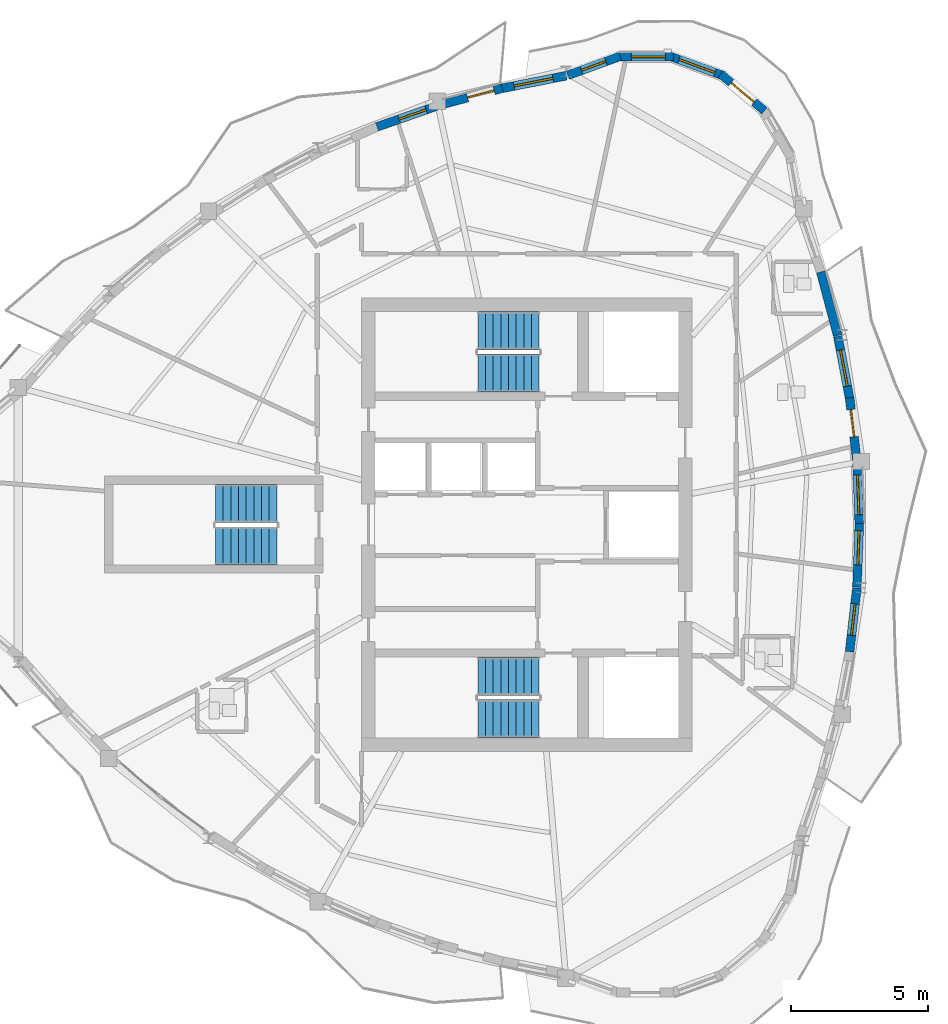
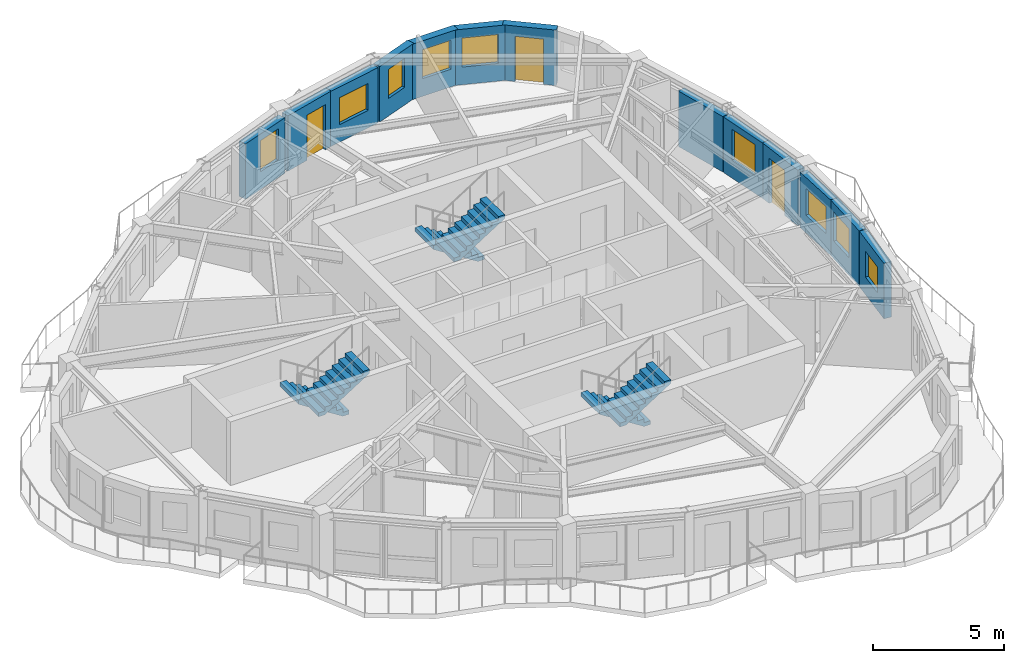
# One storey, part 9 of 13: 13 walls, 9 windows, 6 stair flights, 3 doors, 12 openings, 3 elements without a shape of their own.
"""IFC4 building model written with IfcOpenShell, lengths in metres."""

import ifcopenshell
import ifcopenshell.guid

model = None  # the IFC model being written
_history = None  # IfcOwnerHistory: only IFC2X3 demands one
_inside = {}  # id of a spatial element -> (the spatial element, [elements in it])
_under = {}  # id of a project, library or spatial element -> (it, [spatial elements below it])
_declared = {}  # id of a project -> (the project, [libraries it declares])
_typed = {}  # id of a type object -> (the type object, [elements of that type])
_made_of = {}  # id of a material, layer set ... -> (it, [elements and type objects made of it])


def new_model(schema):
    """Start an empty IFC model of exactly this schema.

    Asked for "IFC4X3", IfcOpenShell would pick the latest addendum, in which some entities
    have other attributes; the version numbers below select the first issue.
    IFC2X3 requires an IfcOwnerHistory on every rooted entity: one is made here for all.
    """
    global model, _history
    if schema == "IFC4X3":
        model = ifcopenshell.file(schema_version=(4, 3, 0, 0))
    else:
        model = ifcopenshell.file(schema=schema)
    _inside.clear()
    _under.clear()
    _declared.clear()
    _typed.clear()
    _made_of.clear()
    _history = None
    if model.schema == "IFC2X3":
        org = make("IfcOrganization", Name="unknown")
        user = make(
            "IfcPersonAndOrganization",
            ThePerson=make("IfcPerson", FamilyName="unknown"),
            TheOrganization=org,
        )
        app = make(
            "IfcApplication",
            ApplicationDeveloper=org,
            Version="unknown",
            ApplicationFullName="unknown",
            ApplicationIdentifier="unknown",
        )
        _history = make(
            "IfcOwnerHistory",
            OwningUser=user,
            OwningApplication=app,
            ChangeAction="ADDED",
            CreationDate=0,
        )
    return model


def make(cls, **values):
    """One entity of the class cls with the attributes given. An attribute that is None is left unset."""
    return model.create_entity(
        cls, **{name: value for name, value in values.items() if value is not None}
    )


def rooted(cls, **values):
    """An entity with a GlobalId (a new one), such as an element, a storey or a relation."""
    return make(cls, GlobalId=ifcopenshell.guid.new(), OwnerHistory=_history, **values)


def si_unit(unit_type, name, prefix=None):
    """IfcSIUnit, for example si_unit("LENGTHUNIT", "METRE", prefix="MILLI")."""
    return make("IfcSIUnit", UnitType=unit_type, Prefix=prefix, Name=name)


def assignment(units):
    """IfcUnitAssignment: the units of a project."""
    return None if units is None else make("IfcUnitAssignment", Units=units)


def point(xyz):
    """IfcCartesianPoint."""
    return None if xyz is None else make("IfcCartesianPoint", Coordinates=xyz)


def direction(xyz):
    """IfcDirection."""
    return None if xyz is None else make("IfcDirection", DirectionRatios=xyz)


def frame(location, z_axis=None, x_axis=None):
    """IfcAxis2Placement3D, a coordinate frame: its origin and axes. An axis left out is left unset."""
    return make(
        "IfcAxis2Placement3D",
        Location=point(location),
        Axis=direction(z_axis),
        RefDirection=direction(x_axis),
    )


def frame_2d(location, x_axis=None):
    """IfcAxis2Placement2D, a coordinate frame in the plane: its origin and x axis."""
    return make(
        "IfcAxis2Placement2D", Location=point(location), RefDirection=direction(x_axis)
    )


def origin():
    """The frame at (0, 0, 0) with its axes left unset."""
    return frame((0.0, 0.0, 0.0))


def place(relative_to, where):
    """IfcLocalPlacement: puts the frame where relative to a parent placement (None: the world)."""
    return make(
        "IfcLocalPlacement", PlacementRelTo=relative_to, RelativePlacement=where
    )


def context(
    kind, dimensions, precision=None, world=None, true_north=None, identifier=None
):
    """IfcGeometricRepresentationContext, for example the 3D "Model" context."""
    return make(
        "IfcGeometricRepresentationContext",
        ContextIdentifier=identifier,
        ContextType=kind,
        CoordinateSpaceDimension=dimensions,
        Precision=precision,
        WorldCoordinateSystem=world,
        TrueNorth=true_north,
    )


def subcontext(parent, identifier, kind, view, scale=None):
    """IfcGeometricRepresentationSubContext, for example "Body" below "Model"."""
    return make(
        "IfcGeometricRepresentationSubContext",
        ContextIdentifier=identifier,
        ContextType=kind,
        ParentContext=parent,
        TargetScale=scale,
        TargetView=view,
    )


def project(units=None, contexts=None):
    """IfcProject with its units and contexts."""
    return rooted(
        "IfcProject",
        Name="project",
        RepresentationContexts=contexts,
        UnitsInContext=assignment(units),
    )


def spatial(cls, under=None, at=None, **own):
    """A site, building, storey or space (cls), placed at a placement, below another one or the project."""
    s = rooted(cls, ObjectPlacement=at, **own)
    if under is not None:
        _under.setdefault(under.id(), (under, []))[1].append(s)
    return s


def polyline(points):
    """IfcPolyline through the points."""
    return make("IfcPolyline", Points=[point(p) for p in points])


def profile(cls, at=None, kind="AREA", **sizes):
    """A parametric profile (cls). Its sizes go by their IFC names, for example OverallWidth=200.0."""
    return make(cls, ProfileType=kind, Position=at, **sizes)


def rectangle(**sizes):
    """IfcRectangleProfileDef."""
    return profile("IfcRectangleProfileDef", **sizes)


def outline(outer, holes=None, kind="AREA"):
    """IfcArbitraryClosedProfileDef: a profile drawn as a closed curve; with holes, ...WithVoids."""
    if holes is None:
        return make("IfcArbitraryClosedProfileDef", ProfileType=kind, OuterCurve=outer)
    return make(
        "IfcArbitraryProfileDefWithVoids",
        ProfileType=kind,
        OuterCurve=outer,
        InnerCurves=holes,
    )


def extrude(swept, where, along, depth):
    """IfcExtrudedAreaSolid: the profile swept, set in the frame where, extruded along a direction by depth."""
    return make(
        "IfcExtrudedAreaSolid",
        SweptArea=swept,
        Position=where,
        ExtrudedDirection=direction(along),
        Depth=depth,
    )


def shape(context_of_items, identifier, shape_type, items):
    """IfcShapeRepresentation: the items that make up one representation, for example the "Body"."""
    return make(
        "IfcShapeRepresentation",
        ContextOfItems=context_of_items,
        RepresentationIdentifier=identifier,
        RepresentationType=shape_type,
        Items=items,
    )


def source(mapping_origin, context_of_items, identifier, shape_type, items):
    """IfcRepresentationMap: a shape defined once, which mapped items show again and again."""
    return make(
        "IfcRepresentationMap",
        MappingOrigin=mapping_origin,
        MappedRepresentation=shape(context_of_items, identifier, shape_type, items),
    )


def transform(
    local_origin,
    x_axis=None,
    y_axis=None,
    z_axis=None,
    scale=None,
    scale2=None,
    scale3=None,
    uniform=True,
):
    """IfcCartesianTransformationOperator3D, or its non-uniform kind. x_axis, y_axis, z_axis: its Axis1, 2, 3."""
    if uniform:
        return make(
            "IfcCartesianTransformationOperator3D",
            Axis1=direction(x_axis),
            Axis2=direction(y_axis),
            LocalOrigin=point(local_origin),
            Scale=scale,
            Axis3=direction(z_axis),
        )
    return make(
        "IfcCartesianTransformationOperator3DnonUniform",
        Axis1=direction(x_axis),
        Axis2=direction(y_axis),
        LocalOrigin=point(local_origin),
        Scale=scale,
        Axis3=direction(z_axis),
        Scale2=scale2,
        Scale3=scale3,
    )


def mapped(mapping_source, mapping_target):
    """IfcMappedItem: shows the shape of a source again, moved by a transform."""
    return make(
        "IfcMappedItem", MappingSource=mapping_source, MappingTarget=mapping_target
    )


def material(Name=None, Category=None):
    """IfcMaterial."""
    return make("IfcMaterial", Name=Name, Category=Category)


def layer(
    of_material, thickness, ventilated=None, Name=None, Category=None, Priority=None
):
    """IfcMaterialLayer: one layer of a wall or slab, of a material (None: an air gap)."""
    return make(
        "IfcMaterialLayer",
        Material=of_material,
        LayerThickness=thickness,
        IsVentilated=ventilated,
        Name=Name,
        Category=Category,
        Priority=Priority,
    )


def layer_set(layers, Name=None):
    """IfcMaterialLayerSet."""
    return make("IfcMaterialLayerSet", MaterialLayers=layers, LayerSetName=Name)


def made_of(thing, what):
    """Note that an element or type object is made of a material, layer set ...; save() writes the relation."""
    if what is not None:
        _made_of.setdefault(what.id(), (what, []))[1].append(thing)
    return thing


def type_object(cls, material=None, **own):
    """A type object (cls), such as IfcWallType, which elements share."""
    return made_of(rooted(cls, **own), material)


def element(
    cls,
    number,
    at=None,
    inside=None,
    cuts=None,
    type_object=None,
    material=None,
    context=None,
    identifier="Body",
    shape_type=None,
    held_by="IfcProductDefinitionShape",
    body=None,
    shapes=None,
    **own,
):
    """One element of the class cls, such as IfcWall. Its Tag is "e" and its number.

    at: its placement. inside: the storey or other place that contains it. cuts: it is an
    opening in that element (IfcRelVoidsElement). A single representation is given by context,
    identifier, shape_type and body (its items); several are given by shapes. held_by: the class
    of the entity that holds the representations. save() writes the other relations.
    """
    e = rooted(cls, Tag="e%d" % number, ObjectPlacement=at, **own)
    if body is not None:
        shapes = [shape(context, identifier, shape_type, body)]
    if shapes is not None:
        e.Representation = make(held_by, Representations=shapes)
    if inside is not None:
        _inside.setdefault(inside.id(), (inside, []))[1].append(e)
    if cuts is not None:
        rooted(
            "IfcRelVoidsElement", RelatingBuildingElement=cuts, RelatedOpeningElement=e
        )
    if type_object is not None:
        _typed.setdefault(type_object.id(), (type_object, []))[1].append(e)
    return made_of(e, material)


def fill(opening, filler):
    """IfcRelFillsElement: the door or window that sits in an opening."""
    return rooted(
        "IfcRelFillsElement",
        RelatingOpeningElement=opening,
        RelatedBuildingElement=filler,
    )


def aggregate(whole, parts):
    """IfcRelAggregates: a whole, such as a stair, and the parts it consists of."""
    return rooted("IfcRelAggregates", RelatingObject=whole, RelatedObjects=parts)


def save(model, path):
    """Write the relations noted so far, then the file.

    IfcRelAggregates (storeys below a building ...), IfcRelContainedInSpatialStructure (elements
    in a storey), IfcRelDefinesByType, IfcRelAssociatesMaterial and IfcRelDeclares: one each for
    every whole, place, type object, material and project.
    """
    for whole, parts in _under.values():
        aggregate(whole, parts)
    for where, things in _inside.values():
        rooted(
            "IfcRelContainedInSpatialStructure",
            RelatedElements=things,
            RelatingStructure=where,
        )
    for kind, things in _typed.values():
        rooted("IfcRelDefinesByType", RelatedObjects=things, RelatingType=kind)
    for what, things in _made_of.values():
        rooted("IfcRelAssociatesMaterial", RelatedObjects=things, RelatingMaterial=what)
    for by, libraries in _declared.values():
        rooted("IfcRelDeclares", RelatingContext=by, RelatedDefinitions=libraries)
    model.write(path)


model = new_model("IFC4")

# Units and contexts
model_context = context("Model", 3, precision=1e-05, world=origin(), true_north=direction((0.0, 1.0)))
body_context = subcontext(model_context, "Body", "Model", "MODEL_VIEW")
ifc_project = project(units=[si_unit("LENGTHUNIT", "METRE"), si_unit("AREAUNIT", "SQUARE_METRE"), si_unit("VOLUMEUNIT", "CUBIC_METRE"), si_unit("PLANEANGLEUNIT", "RADIAN"), si_unit("MASSUNIT", "GRAM", prefix="KILO")], contexts=[model_context])

# Site, building, storey
site_placement = place(None, origin())
site = spatial("IfcSite", under=ifc_project, at=site_placement, CompositionType="ELEMENT")
building_placement = place(site_placement, origin())
building = spatial("IfcBuilding", under=site, at=building_placement, Name="Qafzar Sky-Pleat Residences", CompositionType="ELEMENT")
storey_placement = place(building_placement, frame((0.0, 0.0, 195.60009765625)))
storey = spatial("IfcBuildingStorey", under=building, at=storey_placement, Name="L58", CompositionType="ELEMENT", Elevation=195.60009765625)

# Wall, opening, window
ifc_material_1 = material(Name="Precast concrete C40/50 with honed Riyadh limestone", Category="concrete")
ifc_layer = layer(ifc_material_1, 0.320068359375)
ifc_layer_set = layer_set([ifc_layer], Name="Precast concrete C40/50 with honed Riyadh limestone")
wall_type = type_object("IfcWallType", Name="WALL-EXT-320", PredefinedType="SOLIDWALL", material=ifc_layer_set)
wall_1_placement = place(storey_placement, frame((42.163330078125, 21.352294921875, 0.0), z_axis=(0.0, 0.0, 1.0), x_axis=(0.113273764078, 0.993563814947, 0.0)))
wall_1 = element("IfcWall", 1, at=wall_1_placement, inside=storey, type_object=wall_type, Name="L58 Limestone Facade Wall 26", PredefinedType="SOLIDWALL", context=body_context, shape_type="SweptSolid", body=[
    extrude(rectangle(XDim=2.34716796875, YDim=0.320068359375, at=frame_2d((1.173583984375, 0.0))), origin(), (0.0, 0.0, 1.0), 2.579833984375),
])
opening_1_placement = place(wall_1_placement, frame((0.6083984375, 0.0, 0.820068359375)))
opening_1 = element("IfcOpeningElement", 2, at=opening_1_placement, cuts=wall_1, Name="Opening WN-16", PredefinedType="OPENING", context=body_context, shape_type="SweptSolid", body=[
    extrude(rectangle(XDim=1.14990234375, YDim=1.199951171875, at=frame_2d((0.574951171875, 0.60009765625))), frame((0.0, 0.169921875, 0.0), z_axis=(0.0, -1.0, 0.0), x_axis=(1.0, 0.0, 0.0)), (0.0, 0.0, 1.0), 0.340087890625),
])
ifc_material_2 = material(Name="Solar-control low-E glass in bronze aluminium frame", Category="glass")
window_type_1 = type_object("IfcWindowType", Name="WIN-16", PartitioningType="SINGLE_PANEL", PredefinedType="WINDOW", material=ifc_material_2)
shared_shape_1 = source(origin(), body_context, "Body", "SweptSolid", [
    extrude(rectangle(XDim=1.14990234375, YDim=1.199951171875, at=frame_2d((0.574951171875, 0.60009765625))), frame((0.0, 0.030029296875, 0.0), z_axis=(0.0, -1.0, 0.0), x_axis=(1.0, 0.0, 0.0)), (0.0, 0.0, 1.0), 0.06005859375),
])
window_1_placement = place(opening_1_placement, origin())
window_1 = element("IfcWindow", 3, at=window_1_placement, inside=storey, type_object=window_type_1, Name="L58 Punched Facade Window 26", OverallHeight=1.199951171875, OverallWidth=1.14990234375, PartitioningType="SINGLE_PANEL", PredefinedType="WINDOW", context=body_context, shape_type="MappedRepresentation", body=[
    mapped(shared_shape_1, transform((0.0, 0.0, 0.0), x_axis=(1.0, 0.0, 0.0), y_axis=(0.0, 1.0, 0.0), z_axis=(0.0, 0.0, 1.0), scale=1.0)),
])
fill(opening_1, window_1)

wall_2_placement = place(storey_placement, frame((42.431396484375, 23.712158203125, 0.0), z_axis=(0.0, 0.0, 1.0), x_axis=(0.037979071107, 0.999278534823, 0.0)))
wall_2 = element("IfcWall", 4, at=wall_2_placement, inside=storey, type_object=wall_type, Name="L58 Limestone Facade Wall 27", PredefinedType="SOLIDWALL", context=body_context, shape_type="SweptSolid", body=[
    extrude(rectangle(XDim=2.33349609375, YDim=0.320068359375, at=frame_2d((1.166748046875, 0.0))), origin(), (0.0, 0.0, 1.0), 2.579833984375),
])
opening_2_placement = place(wall_2_placement, frame((0.819580078125, 0.0, 0.820068359375)))
opening_2 = element("IfcOpeningElement", 5, at=opening_2_placement, cuts=wall_2, Name="Opening WN-11", PredefinedType="OPENING", context=body_context, shape_type="SweptSolid", body=[
    extrude(rectangle(XDim=1.25, YDim=1.35009765625, at=frame_2d((0.625, 0.675048828125))), frame((0.0, 0.169921875, 0.0), z_axis=(0.0, -1.0, 0.0), x_axis=(1.0, 0.0, 0.0)), (0.0, 0.0, 1.0), 0.340087890625),
])
window_type_2 = type_object("IfcWindowType", Name="WIN-11", PartitioningType="SINGLE_PANEL", PredefinedType="WINDOW", material=ifc_material_2)
shared_shape_2 = source(origin(), body_context, "Body", "SweptSolid", [
    extrude(rectangle(XDim=1.25, YDim=1.35009765625, at=frame_2d((0.625, 0.675048828125))), frame((0.0, 0.030029296875, 0.0), z_axis=(0.0, -1.0, 0.0), x_axis=(1.0, 0.0, 0.0)), (0.0, 0.0, 1.0), 0.06005859375),
])
window_2_placement = place(opening_2_placement, origin())
window_2 = element("IfcWindow", 6, at=window_2_placement, inside=storey, type_object=window_type_2, Name="L58 Punched Facade Window 27-2", OverallHeight=1.35009765625, OverallWidth=1.25, PartitioningType="SINGLE_PANEL", PredefinedType="WINDOW", context=body_context, shape_type="MappedRepresentation", body=[
    mapped(shared_shape_2, transform((0.0, 0.0, 0.0), x_axis=(1.0, 0.0, 0.0), y_axis=(0.0, 1.0, 0.0), z_axis=(0.0, 0.0, 1.0), scale=1.0)),
])
fill(opening_2, window_2)

wall_3_placement = place(storey_placement, frame((42.52001953125, 25.9560546875, 0.0), z_axis=(0.0, 0.0, 1.0), x_axis=(-0.038072753844, 0.999274969873, 0.0)))
wall_3 = element("IfcWall", 7, at=wall_3_placement, inside=storey, type_object=wall_type, Name="L58 Limestone Facade Wall 28", PredefinedType="SOLIDWALL", context=body_context, shape_type="SweptSolid", body=[
    extrude(rectangle(XDim=2.263671875, YDim=0.320068359375, at=frame_2d((1.1318359375, 0.0))), origin(), (0.0, 0.0, 1.0), 2.579833984375),
])
opening_3_placement = place(wall_3_placement, frame((0.411865234375, 0.0, 0.820068359375)))
opening_3 = element("IfcOpeningElement", 8, at=opening_3_placement, cuts=wall_3, Name="Opening WN-15", PredefinedType="OPENING", context=body_context, shape_type="SweptSolid", body=[
    extrude(rectangle(XDim=1.449951171875, YDim=1.25, at=frame_2d((0.72509765625, 0.625))), frame((0.0, 0.169921875, 0.0), z_axis=(0.0, -1.0, 0.0), x_axis=(1.0, 0.0, 0.0)), (0.0, 0.0, 1.0), 0.340087890625),
])
window_type_3 = type_object("IfcWindowType", Name="WIN-15", PartitioningType="SINGLE_PANEL", PredefinedType="WINDOW", material=ifc_material_2)
shared_shape_3 = source(origin(), body_context, "Body", "SweptSolid", [
    extrude(rectangle(XDim=1.449951171875, YDim=1.25, at=frame_2d((0.72509765625, 0.625))), frame((0.0, 0.030029296875, 0.0), z_axis=(0.0, -1.0, 0.0), x_axis=(1.0, 0.0, 0.0)), (0.0, 0.0, 1.0), 0.06005859375),
])
window_3_placement = place(opening_3_placement, origin())
window_3 = element("IfcWindow", 9, at=window_3_placement, inside=storey, type_object=window_type_3, Name="L58 Punched Facade Window 28", OverallHeight=1.25, OverallWidth=1.449951171875, PartitioningType="SINGLE_PANEL", PredefinedType="WINDOW", context=body_context, shape_type="MappedRepresentation", body=[
    mapped(shared_shape_3, transform((0.0, 0.0, 0.0), x_axis=(1.0, 0.0, 0.0), y_axis=(0.0, 1.0, 0.0), z_axis=(0.0, 0.0, 1.0), scale=1.0)),
])
fill(opening_3, window_3)

# Wall, opening, door
wall_4_placement = place(storey_placement, frame((42.421142578125, 28.38525390625, 0.0), z_axis=(0.0, 0.0, 1.0), x_axis=(-0.113220012761, 0.993569941529, 0.0)))
wall_4 = element("IfcWall", 10, at=wall_4_placement, inside=storey, type_object=wall_type, Name="L58 Limestone Facade Wall 29", PredefinedType="SOLIDWALL", context=body_context, shape_type="SweptSolid", body=[
    extrude(rectangle(XDim=2.277099609375, YDim=0.320068359375, at=frame_2d((1.138671875, 0.0))), origin(), (0.0, 0.0, 1.0), 2.579833984375),
])
opening_4_placement = place(wall_4_placement, frame((0.841796875, 0.0, 0.0)))
opening_4 = element("IfcOpeningElement", 11, at=opening_4_placement, cuts=wall_4, Name="Opening ED-05", PredefinedType="OPENING", context=body_context, shape_type="SweptSolid", body=[
    extrude(rectangle(XDim=1.0, YDim=2.10009765625, at=frame_2d((0.5, 1.050048828125))), frame((0.0, 0.169921875, 0.0), z_axis=(0.0, -1.0, 0.0), x_axis=(1.0, 0.0, 0.0)), (0.0, 0.0, 1.0), 0.340087890625),
])
ifc_material_3 = material(Name="Glazed bronze aluminium door", Category="aluminium")
door_type_1 = type_object("IfcDoorType", Name="DR-BAL-1000", OperationType="NOTDEFINED", PredefinedType="DOOR", material=ifc_material_3)
shared_shape_4 = source(origin(), body_context, "Body", "SweptSolid", [
    extrude(rectangle(XDim=1.0, YDim=2.10009765625, at=frame_2d((0.5, 1.050048828125))), frame((0.0, 0.02490234375, 0.0), z_axis=(0.0, -1.0, 0.0), x_axis=(1.0, 0.0, 0.0)), (0.0, 0.0, 1.0), 0.050048828125),
])
door_1_placement = place(opening_4_placement, origin())
door_1 = element("IfcDoor", 12, at=door_1_placement, inside=storey, type_object=door_type_1, Name="L58 Glazed Balcony Door 1", OperationType="SINGLE_SWING_LEFT", OverallHeight=2.10009765625, OverallWidth=1.0, PredefinedType="DOOR", context=body_context, shape_type="MappedRepresentation", body=[
    mapped(shared_shape_4, transform((0.0, 0.0, 0.0), x_axis=(1.0, 0.0, 0.0), y_axis=(0.0, 1.0, 0.0), z_axis=(0.0, 0.0, 1.0), scale=1.0)),
])
fill(opening_4, door_1)

# Wall, opening, window
wall_5_placement = place(storey_placement, frame((42.176513671875, 30.560791015625, 0.0), z_axis=(0.0, 0.0, 1.0), x_axis=(-0.186691421418, 0.982418603839, 0.0)))
wall_5 = element("IfcWall", 13, at=wall_5_placement, inside=storey, type_object=wall_type, Name="L58 Limestone Facade Wall 30", PredefinedType="SOLIDWALL", context=body_context, shape_type="SweptSolid", body=[
    extrude(rectangle(XDim=2.37353515625, YDim=0.320068359375, at=frame_2d((1.186767578125, 0.0))), origin(), (0.0, 0.0, 1.0), 2.579833984375),
])
opening_5_placement = place(wall_5_placement, frame((0.521728515625, 0.0, 0.820068359375)))
opening_5 = element("IfcOpeningElement", 14, at=opening_5_placement, cuts=wall_5, Name="Opening WN-04", PredefinedType="OPENING", context=body_context, shape_type="SweptSolid", body=[
    extrude(rectangle(XDim=1.35009765625, YDim=1.449951171875, at=frame_2d((0.675048828125, 0.72509765625))), frame((0.0, 0.169921875, 0.0), z_axis=(0.0, -1.0, 0.0), x_axis=(1.0, 0.0, 0.0)), (0.0, 0.0, 1.0), 0.340087890625),
])
window_type_4 = type_object("IfcWindowType", Name="WIN-04", PartitioningType="SINGLE_PANEL", PredefinedType="WINDOW", material=ifc_material_2)
shared_shape_5 = source(origin(), body_context, "Body", "SweptSolid", [
    extrude(rectangle(XDim=1.35009765625, YDim=1.449951171875, at=frame_2d((0.675048828125, 0.72509765625))), frame((0.0, 0.030029296875, 0.0), z_axis=(0.0, -1.0, 0.0), x_axis=(1.0, 0.0, 0.0)), (0.0, 0.0, 1.0), 0.06005859375),
])
window_4_placement = place(opening_5_placement, origin())
window_4 = element("IfcWindow", 15, at=window_4_placement, inside=storey, type_object=window_type_4, Name="L58 Punched Facade Window 30", OverallHeight=1.449951171875, OverallWidth=1.35009765625, PartitioningType="SINGLE_PANEL", PredefinedType="WINDOW", context=body_context, shape_type="MappedRepresentation", body=[
    mapped(shared_shape_5, transform((0.0, 0.0, 0.0), x_axis=(1.0, 0.0, 0.0), y_axis=(0.0, 1.0, 0.0), z_axis=(0.0, 0.0, 1.0), scale=1.0)),
])
fill(opening_5, window_4)

# Wall
wall_6_placement = place(storey_placement, frame((41.72705078125, 32.92041015625, 0.0), z_axis=(0.0, 0.0, 1.0), x_axis=(-0.257057896323, 0.96639600472, 0.0)))
element("IfcWall", 16, at=wall_6_placement, inside=storey, type_object=wall_type, Name="L58 Limestone Facade Wall 31", PredefinedType="SOLIDWALL", context=body_context, shape_type="SweptSolid", body=[
    extrude(rectangle(XDim=2.412353515625, YDim=0.320068359375, at=frame_2d((1.2060546875, 0.0))), origin(), (0.0, 0.0, 1.0), 2.579833984375),
])

# Wall, opening, door
wall_7_placement = place(storey_placement, frame((39.04931640625, 41.1513671875, 0.0), z_axis=(0.0, 0.0, 1.0), x_axis=(-0.766082082368, 0.642742750308, 0.0)))
wall_7 = element("IfcWall", 17, at=wall_7_placement, inside=storey, type_object=wall_type, Name="L58 Limestone Facade Wall 35", PredefinedType="SOLIDWALL", context=body_context, shape_type="SweptSolid", body=[
    extrude(rectangle(XDim=2.09033203125, YDim=0.320068359375, at=frame_2d((1.045166015625, 0.0))), origin(), (0.0, 0.0, 1.0), 2.579833984375),
])
opening_6_placement = place(wall_7_placement, frame((0.4951171875, 0.0, 0.0)))
opening_6 = element("IfcOpeningElement", 18, at=opening_6_placement, cuts=wall_7, Name="Opening ED-06", PredefinedType="OPENING", context=body_context, shape_type="SweptSolid", body=[
    extrude(rectangle(XDim=1.10009765625, YDim=2.10009765625, at=frame_2d((0.550048828125, 1.050048828125))), frame((0.0, 0.169921875, 0.0), z_axis=(0.0, -1.0, 0.0), x_axis=(1.0, 0.0, 0.0)), (0.0, 0.0, 1.0), 0.340087890625),
])
door_type_2 = type_object("IfcDoorType", Name="DR-BAL-1100", OperationType="NOTDEFINED", PredefinedType="DOOR", material=ifc_material_3)
shared_shape_6 = source(origin(), body_context, "Body", "SweptSolid", [
    extrude(rectangle(XDim=1.10009765625, YDim=2.10009765625, at=frame_2d((0.550048828125, 1.050048828125))), frame((0.0, 0.02490234375, 0.0), z_axis=(0.0, -1.0, 0.0), x_axis=(1.0, 0.0, 0.0)), (0.0, 0.0, 1.0), 0.050048828125),
])
door_2_placement = place(opening_6_placement, origin())
door_2 = element("IfcDoor", 19, at=door_2_placement, inside=storey, type_object=door_type_2, Name="L58 Terrace Glazed Door 2", OperationType="SINGLE_SWING_LEFT", OverallHeight=2.10009765625, OverallWidth=1.10009765625, PredefinedType="DOOR", context=body_context, shape_type="MappedRepresentation", body=[
    mapped(shared_shape_6, transform((0.0, 0.0, 0.0), x_axis=(1.0, 0.0, 0.0), y_axis=(0.0, 1.0, 0.0), z_axis=(0.0, 0.0, 1.0), scale=1.0)),
])
fill(opening_6, door_2)

# Wall, opening, window
wall_8_placement = place(storey_placement, frame((37.56103515625, 42.4296875, 0.0), z_axis=(0.0, 0.0, 1.0), x_axis=(-0.939711556618, 0.341968113072, 0.0)))
wall_8 = element("IfcWall", 20, at=wall_8_placement, inside=storey, type_object=wall_type, Name="L58 Limestone Facade Wall 36", PredefinedType="SOLIDWALL", context=body_context, shape_type="SweptSolid", body=[
    extrude(rectangle(XDim=2.09033203125, YDim=0.320068359375, at=frame_2d((1.045166015625, 0.0))), origin(), (0.0, 0.0, 1.0), 2.579833984375),
])
opening_7_placement = place(wall_8_placement, frame((0.34521484375, 0.0, 0.820068359375)))
opening_7 = element("IfcOpeningElement", 21, at=opening_7_placement, cuts=wall_8, Name="Opening WN-10", PredefinedType="OPENING", context=body_context, shape_type="SweptSolid", body=[
    extrude(rectangle(XDim=1.39990234375, YDim=1.35009765625, at=frame_2d((0.699951171875, 0.675048828125))), frame((0.0, 0.169921875, 0.0), z_axis=(0.0, -1.0, 0.0), x_axis=(1.0, 0.0, 0.0)), (0.0, 0.0, 1.0), 0.340087890625),
])
window_type_5 = type_object("IfcWindowType", Name="WIN-10", PartitioningType="SINGLE_PANEL", PredefinedType="WINDOW", material=ifc_material_2)
shared_shape_7 = source(origin(), body_context, "Body", "SweptSolid", [
    extrude(rectangle(XDim=1.39990234375, YDim=1.35009765625, at=frame_2d((0.699951171875, 0.675048828125))), frame((0.0, 0.030029296875, 0.0), z_axis=(0.0, -1.0, 0.0), x_axis=(1.0, 0.0, 0.0)), (0.0, 0.0, 1.0), 0.06005859375),
])
window_5_placement = place(opening_7_placement, origin())
window_5 = element("IfcWindow", 22, at=window_5_placement, inside=storey, type_object=window_type_5, Name="L58 Punched Facade Window 36", OverallHeight=1.35009765625, OverallWidth=1.39990234375, PartitioningType="SINGLE_PANEL", PredefinedType="WINDOW", context=body_context, shape_type="MappedRepresentation", body=[
    mapped(shared_shape_7, transform((0.0, 0.0, 0.0), x_axis=(1.0, 0.0, 0.0), y_axis=(0.0, 1.0, 0.0), z_axis=(0.0, 0.0, 1.0), scale=1.0)),
])
fill(opening_7, window_5)

wall_9_placement = place(storey_placement, frame((35.72509765625, 43.1220703125, 0.0), z_axis=(0.0, 0.0, 1.0), x_axis=(-1.0, 0.0, 0.0)))
wall_9 = element("IfcWall", 23, at=wall_9_placement, inside=storey, type_object=wall_type, Name="L58 Limestone Facade Wall 37", PredefinedType="SOLIDWALL", context=body_context, shape_type="SweptSolid", body=[
    extrude(rectangle(XDim=2.09033203125, YDim=0.320068359375, at=frame_2d((1.045166015625, 0.0))), origin(), (0.0, 0.0, 1.0), 2.579833984375),
])
opening_8_placement = place(wall_9_placement, frame((0.300537109375, 0.0, 0.820068359375)))
opening_8 = element("IfcOpeningElement", 24, at=opening_8_placement, cuts=wall_9, Name="Opening WN-11", PredefinedType="OPENING", context=body_context, shape_type="SweptSolid", body=[
    extrude(rectangle(XDim=1.25, YDim=1.35009765625, at=frame_2d((0.625, 0.675048828125))), frame((0.0, 0.169921875, 0.0), z_axis=(0.0, -1.0, 0.0), x_axis=(1.0, 0.0, 0.0)), (0.0, 0.0, 1.0), 0.340087890625),
])
window_6_placement = place(opening_8_placement, origin())
window_6 = element("IfcWindow", 25, at=window_6_placement, inside=storey, type_object=window_type_2, Name="L58 Punched Facade Window 37", OverallHeight=1.35009765625, OverallWidth=1.25, PartitioningType="SINGLE_PANEL", PredefinedType="WINDOW", context=body_context, shape_type="MappedRepresentation", body=[
    mapped(shared_shape_2, transform((0.0, 0.0, 0.0), x_axis=(1.0, 0.0, 0.0), y_axis=(0.0, 1.0, 0.0), z_axis=(0.0, 0.0, 1.0), scale=1.0)),
])
fill(opening_8, window_6)

wall_10_placement = place(storey_placement, frame((33.76318359375, 43.14453125, 0.0), z_axis=(0.0, 0.0, 1.0), x_axis=(-0.939691662178, -0.342022777067, 0.0)))
wall_10 = element("IfcWall", 26, at=wall_10_placement, inside=storey, type_object=wall_type, Name="L58 Limestone Facade Wall 38", PredefinedType="SOLIDWALL", context=body_context, shape_type="SweptSolid", body=[
    extrude(rectangle(XDim=2.0322265625, YDim=0.320068359375, at=frame_2d((1.01611328125, 0.0))), origin(), (0.0, 0.0, 1.0), 2.579833984375),
])
opening_9_placement = place(wall_10_placement, frame((0.55126953125, 0.0, 0.820068359375)))
opening_9 = element("IfcOpeningElement", 27, at=opening_9_placement, cuts=wall_10, Name="Opening WN-12", PredefinedType="OPENING", context=body_context, shape_type="SweptSolid", body=[
    extrude(rectangle(XDim=0.949951171875, YDim=1.35009765625, at=frame_2d((0.47509765625, 0.675048828125))), frame((0.0, 0.169921875, 0.0), z_axis=(0.0, -1.0, 0.0), x_axis=(1.0, 0.0, 0.0)), (0.0, 0.0, 1.0), 0.340087890625),
])
window_type_6 = type_object("IfcWindowType", Name="WIN-12", PartitioningType="SINGLE_PANEL", PredefinedType="WINDOW", material=ifc_material_2)
shared_shape_8 = source(origin(), body_context, "Body", "SweptSolid", [
    extrude(rectangle(XDim=0.949951171875, YDim=1.35009765625, at=frame_2d((0.47509765625, 0.675048828125))), frame((0.0, 0.030029296875, 0.0), z_axis=(0.0, -1.0, 0.0), x_axis=(1.0, 0.0, 0.0)), (0.0, 0.0, 1.0), 0.06005859375),
])
window_7_placement = place(opening_9_placement, origin())
window_7 = element("IfcWindow", 28, at=window_7_placement, inside=storey, type_object=window_type_6, Name="L58 Punched Facade Window 38", OverallHeight=1.35009765625, OverallWidth=0.949951171875, PartitioningType="SINGLE_PANEL", PredefinedType="WINDOW", context=body_context, shape_type="MappedRepresentation", body=[
    mapped(shared_shape_8, transform((0.0, 0.0, 0.0), x_axis=(1.0, 0.0, 0.0), y_axis=(0.0, 1.0, 0.0), z_axis=(0.0, 0.0, 1.0), scale=1.0)),
])
fill(opening_9, window_7)

wall_11_placement = place(storey_placement, frame((31.791259765625, 42.43212890625, 0.0), z_axis=(0.0, 0.0, 1.0), x_axis=(-0.981230743763, -0.192837308358, 0.0)))
wall_11 = element("IfcWall", 29, at=wall_11_placement, inside=storey, type_object=wall_type, Name="L58 Limestone Facade Wall 39", PredefinedType="SOLIDWALL", context=body_context, shape_type="SweptSolid", body=[
    extrude(rectangle(XDim=2.463623046875, YDim=0.320068359375, at=frame_2d((1.23193359375, 0.0))), origin(), (0.0, 0.0, 1.0), 2.579833984375),
])
opening_10_placement = place(wall_11_placement, frame((0.496826171875, 0.0, 0.820068359375)))
opening_10 = element("IfcOpeningElement", 30, at=opening_10_placement, cuts=wall_11, Name="Opening WN-15", PredefinedType="OPENING", context=body_context, shape_type="SweptSolid", body=[
    extrude(rectangle(XDim=1.449951171875, YDim=1.25, at=frame_2d((0.72509765625, 0.625))), frame((0.0, 0.169921875, 0.0), z_axis=(0.0, -1.0, 0.0), x_axis=(1.0, 0.0, 0.0)), (0.0, 0.0, 1.0), 0.340087890625),
])
window_8_placement = place(opening_10_placement, origin())
window_8 = element("IfcWindow", 31, at=window_8_placement, inside=storey, type_object=window_type_3, Name="L58 Punched Facade Window 39", OverallHeight=1.25, OverallWidth=1.449951171875, PartitioningType="SINGLE_PANEL", PredefinedType="WINDOW", context=body_context, shape_type="MappedRepresentation", body=[
    mapped(shared_shape_3, transform((0.0, 0.0, 0.0), x_axis=(1.0, 0.0, 0.0), y_axis=(0.0, 1.0, 0.0), z_axis=(0.0, 0.0, 1.0), scale=1.0)),
])
fill(opening_10, window_8)

# Wall, opening, door
wall_12_placement = place(storey_placement, frame((29.458740234375, 41.976806640625, 0.0), z_axis=(0.0, 0.0, 1.0), x_axis=(-0.965462644558, -0.260541516774, 0.0)))
wall_12 = element("IfcWall", 32, at=wall_12_placement, inside=storey, type_object=wall_type, Name="L58 Limestone Facade Wall 40", PredefinedType="SOLIDWALL", context=body_context, shape_type="SweptSolid", body=[
    extrude(rectangle(XDim=2.342529296875, YDim=0.320068359375, at=frame_2d((1.17138671875, 0.0))), origin(), (0.0, 0.0, 1.0), 2.579833984375),
])
opening_11_placement = place(wall_12_placement, frame((0.31982421875, 0.0, 0.0)))
opening_11 = element("IfcOpeningElement", 33, at=opening_11_placement, cuts=wall_12, Name="Opening ED-05", PredefinedType="OPENING", context=body_context, shape_type="SweptSolid", body=[
    extrude(rectangle(XDim=1.0, YDim=2.10009765625, at=frame_2d((0.5, 1.050048828125))), frame((0.0, 0.169921875, 0.0), z_axis=(0.0, -1.0, 0.0), x_axis=(1.0, 0.0, 0.0)), (0.0, 0.0, 1.0), 0.340087890625),
])
door_3_placement = place(opening_11_placement, origin())
door_3 = element("IfcDoor", 34, at=door_3_placement, inside=storey, type_object=door_type_1, Name="L58 Glazed Balcony Door 2", OperationType="SINGLE_SWING_LEFT", OverallHeight=2.10009765625, OverallWidth=1.0, PredefinedType="DOOR", context=body_context, shape_type="MappedRepresentation", body=[
    mapped(shared_shape_4, transform((0.0, 0.0, 0.0), x_axis=(1.0, 0.0, 0.0), y_axis=(0.0, 1.0, 0.0), z_axis=(0.0, 0.0, 1.0), scale=1.0)),
])
fill(opening_11, door_3)

# Wall, opening, window
wall_13_placement = place(storey_placement, frame((27.036376953125, 41.31689453125, 0.0), z_axis=(0.0, 0.0, 1.0), x_axis=(-0.944115832513, -0.329613857108, 0.0)))
wall_13 = element("IfcWall", 35, at=wall_13_placement, inside=storey, type_object=wall_type, Name="L58 Limestone Facade Wall 41", PredefinedType="SOLIDWALL", context=body_context, shape_type="SweptSolid", body=[
    extrude(rectangle(XDim=2.303466796875, YDim=0.320068359375, at=frame_2d((1.15185546875, 0.0))), origin(), (0.0, 0.0, 1.0), 2.579833984375),
])
opening_12_placement = place(wall_13_placement, frame((0.39111328125, 0.0, 0.820068359375)))
opening_12 = element("IfcOpeningElement", 36, at=opening_12_placement, cuts=wall_13, Name="Opening WN-06", PredefinedType="OPENING", context=body_context, shape_type="SweptSolid", body=[
    extrude(rectangle(XDim=1.050048828125, YDim=1.449951171875, at=frame_2d((0.52490234375, 0.72509765625))), frame((0.0, 0.169921875, 0.0), z_axis=(0.0, -1.0, 0.0), x_axis=(1.0, 0.0, 0.0)), (0.0, 0.0, 1.0), 0.340087890625),
])
window_type_7 = type_object("IfcWindowType", Name="WIN-06", PartitioningType="SINGLE_PANEL", PredefinedType="WINDOW", material=ifc_material_2)
shared_shape_9 = source(origin(), body_context, "Body", "SweptSolid", [
    extrude(rectangle(XDim=1.050048828125, YDim=1.449951171875, at=frame_2d((0.52490234375, 0.72509765625))), frame((0.0, 0.030029296875, 0.0), z_axis=(0.0, -1.0, 0.0), x_axis=(1.0, 0.0, 0.0)), (0.0, 0.0, 1.0), 0.06005859375),
])
window_9_placement = place(opening_12_placement, origin())
window_9 = element("IfcWindow", 37, at=window_9_placement, inside=storey, type_object=window_type_7, Name="L58 Punched Facade Window 41", OverallHeight=1.449951171875, OverallWidth=1.050048828125, PartitioningType="SINGLE_PANEL", PredefinedType="WINDOW", context=body_context, shape_type="MappedRepresentation", body=[
    mapped(shared_shape_9, transform((0.0, 0.0, 0.0), x_axis=(1.0, 0.0, 0.0), y_axis=(0.0, 1.0, 0.0), z_axis=(0.0, 0.0, 1.0), scale=1.0)),
])
fill(opening_12, window_9)

# Stair, stair flights
ifc_material_4 = material(Name="Concrete C40/50", Category="concrete")
stair_type = type_object("IfcStairType", Name="STAIR-H320", PredefinedType="HALF_TURN_STAIR", material=ifc_material_4)
stair_1_placement = place(storey_placement, origin())
stair_1 = element("IfcStair", 38, at=stair_1_placement, inside=storey, type_object=stair_type, Name="L58 Protected Exit Stair ST1", PredefinedType="HALF_TURN_STAIR")
stair_flight_type = type_object("IfcStairFlightType", Name="FLIGHT-H320", PredefinedType="STRAIGHT", material=ifc_material_4)
shared_shape_10 = source(origin(), body_context, "Body", "SweptSolid", [
    extrude(outline(polyline([(0.0, 0.0), (0.0, 0.177734375), (0.280029296875, 0.177734375), (0.280029296875, 0.35546875), (0.56005859375, 0.35546875), (0.56005859375, 0.533447265625), (0.840087890625, 0.533447265625), (0.840087890625, 0.711181640625), (1.1201171875, 0.711181640625), (1.1201171875, 0.888916015625), (1.39990234375, 0.888916015625), (1.39990234375, 1.066650390625), (1.679931640625, 1.066650390625), (1.679931640625, 1.244384765625), (1.9599609375, 1.244384765625), (1.9599609375, 1.422119140625), (2.239990234375, 1.422119140625), (2.239990234375, 1.60009765625), (2.239990234375, 1.24462890625), (0.27978515625, 0.0), (0.0, 0.0)])), frame((0.0, 0.699951171875, 0.0), z_axis=(0.0, -1.0, 0.0), x_axis=(1.0, 0.0, 0.0)), (0.0, 0.0, 1.0), 1.39990234375),
])
stair_flight_1_placement = place(storey_placement, frame((30.800048828125, 20.449951171875, 0.0), z_axis=(0.0, 0.0, 1.0), x_axis=(-1.0, 0.0, 0.0)))
stair_flight_1 = element("IfcStairFlight", 39, at=stair_flight_1_placement, type_object=stair_flight_type, Name="ST1 flight 1", NumberOfRisers=9, NumberOfTreads=8, PredefinedType="STRAIGHT", RiserHeight=0.177777778, TreadLength=0.28, context=body_context, shape_type="MappedRepresentation", body=[
    mapped(shared_shape_10, transform((0.0, 0.0, 0.0), x_axis=(1.0, 0.0, 0.0), y_axis=(0.0, 1.0, 0.0), z_axis=(0.0, 0.0, 1.0), scale=1.0)),
])
stair_flight_2_placement = place(storey_placement, frame((28.56005859375, 18.89990234375, 1.599853515625), z_axis=(0.0, 0.0, 1.0), x_axis=(1.0, 0.0, 0.0)))
stair_flight_2 = element("IfcStairFlight", 40, at=stair_flight_2_placement, type_object=stair_flight_type, Name="ST1 flight 2", NumberOfRisers=9, NumberOfTreads=8, PredefinedType="STRAIGHT", RiserHeight=0.177777778, TreadLength=0.28, context=body_context, shape_type="MappedRepresentation", body=[
    mapped(shared_shape_10, transform((0.0, 0.0, 0.0), x_axis=(1.0, 0.0, 0.0), y_axis=(0.0, 1.0, 0.0), z_axis=(0.0, 0.0, 1.0), scale=1.0)),
])
aggregate(stair_1, [stair_flight_1, stair_flight_2])

stair_2_placement = place(storey_placement, origin())
stair_2 = element("IfcStair", 41, at=stair_2_placement, inside=storey, type_object=stair_type, Name="L58 Protected Exit Stair ST2", PredefinedType="HALF_TURN_STAIR")
stair_flight_3_placement = place(storey_placement, frame((30.800048828125, 33.10009765625, 0.0), z_axis=(0.0, 0.0, 1.0), x_axis=(-1.0, 0.0, 0.0)))
stair_flight_3 = element("IfcStairFlight", 42, at=stair_flight_3_placement, type_object=stair_flight_type, Name="ST2 flight 1", NumberOfRisers=9, NumberOfTreads=8, PredefinedType="STRAIGHT", RiserHeight=0.177777778, TreadLength=0.28, context=body_context, shape_type="MappedRepresentation", body=[
    mapped(shared_shape_10, transform((0.0, 0.0, 0.0), x_axis=(1.0, 0.0, 0.0), y_axis=(0.0, 1.0, 0.0), z_axis=(0.0, 0.0, 1.0), scale=1.0)),
])
stair_flight_4_placement = place(storey_placement, frame((28.56005859375, 31.550048828125, 1.599853515625), z_axis=(0.0, 0.0, 1.0), x_axis=(1.0, 0.0, 0.0)))
stair_flight_4 = element("IfcStairFlight", 43, at=stair_flight_4_placement, type_object=stair_flight_type, Name="ST2 flight 2", NumberOfRisers=9, NumberOfTreads=8, PredefinedType="STRAIGHT", RiserHeight=0.177777778, TreadLength=0.28, context=body_context, shape_type="MappedRepresentation", body=[
    mapped(shared_shape_10, transform((0.0, 0.0, 0.0), x_axis=(1.0, 0.0, 0.0), y_axis=(0.0, 1.0, 0.0), z_axis=(0.0, 0.0, 1.0), scale=1.0)),
])
aggregate(stair_2, [stair_flight_3, stair_flight_4])

stair_3_placement = place(storey_placement, origin())
stair_3 = element("IfcStair", 44, at=stair_3_placement, inside=storey, type_object=stair_type, Name="L58 Protected Exit Stair ST3", PredefinedType="HALF_TURN_STAIR")
stair_flight_5_placement = place(storey_placement, frame((21.199951171875, 26.77490234375, 0.0), z_axis=(0.0, 0.0, 1.0), x_axis=(-1.0, 0.0, 0.0)))
stair_flight_5 = element("IfcStairFlight", 45, at=stair_flight_5_placement, type_object=stair_flight_type, Name="ST3 flight 1", NumberOfRisers=9, NumberOfTreads=8, PredefinedType="STRAIGHT", RiserHeight=0.177777778, TreadLength=0.28, context=body_context, shape_type="MappedRepresentation", body=[
    mapped(shared_shape_10, transform((0.0, 0.0, 0.0), x_axis=(1.0, 0.0, 0.0), y_axis=(0.0, 1.0, 0.0), z_axis=(0.0, 0.0, 1.0), scale=1.0)),
])
stair_flight_6_placement = place(storey_placement, frame((18.9599609375, 25.22509765625, 1.599853515625), z_axis=(0.0, 0.0, 1.0), x_axis=(1.0, 0.0, 0.0)))
stair_flight_6 = element("IfcStairFlight", 46, at=stair_flight_6_placement, type_object=stair_flight_type, Name="ST3 flight 2", NumberOfRisers=9, NumberOfTreads=8, PredefinedType="STRAIGHT", RiserHeight=0.177777778, TreadLength=0.28, context=body_context, shape_type="MappedRepresentation", body=[
    mapped(shared_shape_10, transform((0.0, 0.0, 0.0), x_axis=(1.0, 0.0, 0.0), y_axis=(0.0, 1.0, 0.0), z_axis=(0.0, 0.0, 1.0), scale=1.0)),
])
aggregate(stair_3, [stair_flight_5, stair_flight_6])

save(model, "model.ifc")
